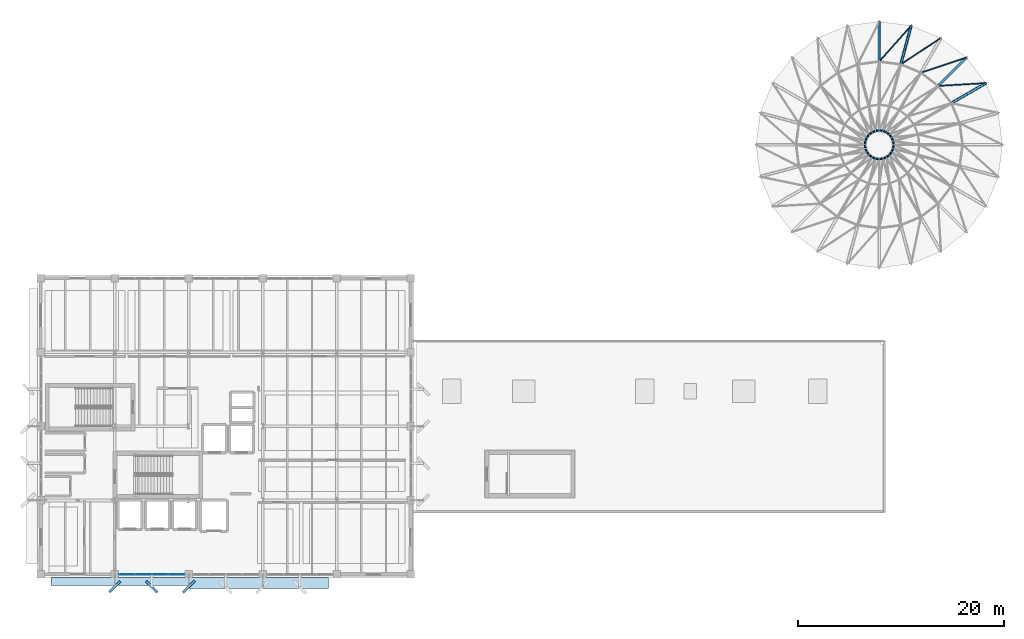
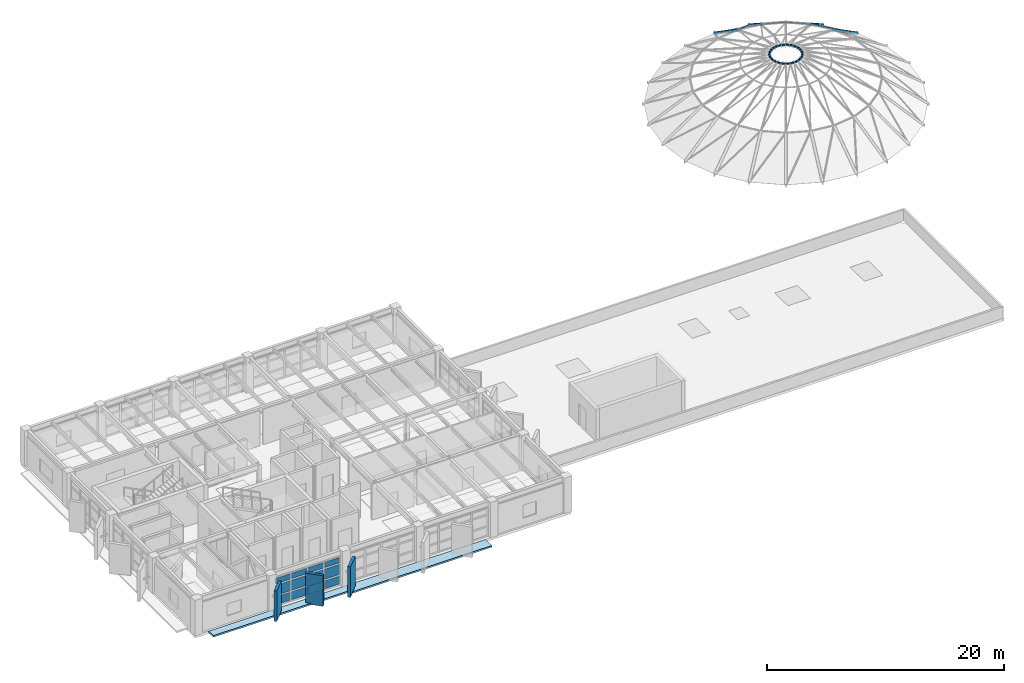
# One storey, part 17 of 32: 28 members, 15 plates, 4 beams, 1 slab, 1 element without a shape of its own.
"""IFC4 building model written with IfcOpenShell, lengths in metres."""

from ifc_helpers import new_model, si_unit, direction, frame, origin, origin_2d, place, context, subcontext, project, spatial, polyline, rectangle, hollow_circle, outline, extrude, material, layer, layer_set, material_profile, profile_set, type_object, element, aggregate, save


model = new_model("IFC4")

# Units and contexts
model_context = context("Model", 3, precision=1e-05, world=origin(), true_north=direction((0.0, 1.0)))
body_context = subcontext(model_context, "Body", "Model", "MODEL_VIEW")
ifc_project = project(units=[si_unit("LENGTHUNIT", "METRE"), si_unit("AREAUNIT", "SQUARE_METRE"), si_unit("VOLUMEUNIT", "CUBIC_METRE"), si_unit("PLANEANGLEUNIT", "RADIAN"), si_unit("MASSUNIT", "GRAM", prefix="KILO")], contexts=[model_context])

# Site, building, storey
site_placement = place(None, origin())
site = spatial("IfcSite", under=ifc_project, at=site_placement, CompositionType="ELEMENT")
building_placement = place(site_placement, origin())
building = spatial("IfcBuilding", under=site, at=building_placement, Name="Kandorven Conservatory and Botanical Research Centre", CompositionType="ELEMENT")
storey_placement = place(building_placement, frame((0.0, 0.0, 17.10009765625)))
storey = spatial("IfcBuildingStorey", under=building, at=storey_placement, Name="L04", CompositionType="ELEMENT", Elevation=17.10009765625)

# Beams
ifc_material_1 = material(Name="Steel S355 (IS 2062 E350)", Category="steel")
ifc_material_profile_1 = material_profile(ifc_material_1, hollow_circle(Radius=0.136474609375, WallThickness=0.013916015625, at=origin_2d()))
ifc_profile_set_1 = profile_set([ifc_material_profile_1], Name="Steel S355 (IS 2062 E350)")
beam_type = type_object("IfcBeamType", Name="Beam_DR-03", PredefinedType="BEAM", material=ifc_profile_set_1)
for number, where, z_axis, x_axis, name in (
    (1, (97.9921875, 53.800048828125, 0.599853515625), (-0.712040516377, -0.411093509058, 0.569210356413), (0.499997012787, -0.866027128446, 0.0), "Conservatory Dome Rib DR-03 T3-R03"),
    (2, (96.085205078125, 56.285400390625, 0.599853515625), (-0.581353568201, -0.581405038194, 0.56920664991), (0.707138080869, -0.707075480118, 0.0), "Conservatory Dome Rib DR-03 T3-R04"),
    (3, (90.705810546875, 59.39111328125, 0.599853515625), (-0.212826592184, -0.79417516745, 0.569201761298), (0.965917312786, -0.258850815837, 0.0), "Conservatory Dome Rib DR-03 T3-R06"),
    (4, (87.60009765625, 59.800048828125, 0.599853515625), (0.0, -0.822207014252, 0.569188567801), (1.0, 0.0, 0.0), "Conservatory Dome Rib DR-03 T3-R07"),
):
    element("IfcBeam", number, at=place(storey_placement, frame(where, z_axis=z_axis, x_axis=x_axis)), inside=storey, type_object=beam_type, Name=name, PredefinedType="BEAM", context=body_context, shape_type="SweptSolid", body=[
        extrude(hollow_circle(Radius=0.136474609375, WallThickness=0.013916015625, at=origin_2d()), origin(), (0.0, 0.0, 1.0), 4.743408203125),
    ])

# Members
ifc_material_2 = material(Name="Steel S355 (IS 2062 E350)", Category="steel")
ifc_material_profile_2 = material_profile(ifc_material_2, hollow_circle(Radius=0.06982421875, WallThickness=0.008056640625, at=origin_2d()))
ifc_profile_set_2 = profile_set([ifc_material_profile_2], Name="Steel S355 (IS 2062 E350)")
member_type_1 = type_object("IfcMemberType", Name="Mem_DD-01", PredefinedType="BRACE", material=ifc_profile_set_2)
member_1_placement = place(storey_placement, frame((97.9921875, 53.800048828125, 0.599853515625), z_axis=(-0.864369008874, -0.050488632571, 0.500317013982), x_axis=(0.058311580146, -0.998298432144, 0.0)))
element("IfcMember", 5, at=member_1_placement, inside=storey, type_object=member_type_1, Name="Conservatory Dome Brace DD-01 T3-S03", PredefinedType="BRACE", context=body_context, shape_type="SweptSolid", body=[
    extrude(hollow_circle(Radius=0.06982421875, WallThickness=0.008056640625, at=origin_2d()), origin(), (0.0, 0.0, 1.0), 5.396484375),
])
for number, where, z_axis, x_axis, name in (
    (6, (96.085205078125, 56.285400390625, 0.599853515625), (-0.821851167533, -0.272517830859, 0.500294603498), (0.314738325638, -0.949178479726, 0.0), "Conservatory Dome Brace DD-01 T3-S04"),
    (7, (93.60009765625, 58.1923828125, 0.599853515625), (-0.723350243299, -0.475900222609, 0.500283323368), (0.549626097097, -0.835410769257, 0.0), "Conservatory Dome Brace DD-01 T3-S05"),
    (8, (90.705810546875, 59.39111328125, 0.599853515625), (-0.575489907738, -0.646922858318, 0.500302090219), (0.747152705092, -0.664652416887, 0.0), "Conservatory Dome Brace DD-01 T3-S06"),
):
    element("IfcMember", number, at=place(storey_placement, frame(where, z_axis=z_axis, x_axis=x_axis)), inside=storey, type_object=member_type_1, Name=name, PredefinedType="BRACE", context=body_context, shape_type="SweptSolid", body=[
        extrude(hollow_circle(Radius=0.06982421875, WallThickness=0.008056640625, at=origin_2d()), origin(), (0.0, 0.0, 1.0), 5.396728515625),
    ])
ifc_material_3 = material(Name="Steel S355 (IS 2062 E350)", Category="steel")
ifc_material_profile_3 = material_profile(ifc_material_3, hollow_circle(Radius=0.109619140625, WallThickness=0.011962890625, at=origin_2d()))
ifc_profile_set_3 = profile_set([ifc_material_profile_3], Name="Steel S355 (IS 2062 E350)")
member_type_2 = type_object("IfcMemberType", Name="Mem_DH-05", PredefinedType="CHORD", material=ifc_profile_set_3)
for number, where, z_axis, x_axis, name in (
    (9, (89.0, 47.800048828125, 5.699951171875), (-0.130281684003, 0.99147702082, 0.0), (-0.99147702082, -0.130281684003, 0.0), "Conservatory Dome Hoop DH-05 T5-S01"),
    (10, (88.952392578125, 48.162353515625, 5.699951171875), (-0.382764762462, 0.923845840288, 0.0), (-0.923845840288, -0.382764762462, 0.0), "Conservatory Dome Hoop DH-05 T5-S02"),
    (11, (88.8125, 48.5, 5.699951171875), (-0.609258674669, 0.792971542579, 0.0), (-0.792971542579, -0.609258674669, 0.0), "Conservatory Dome Hoop DH-05 T5-S03"),
    (12, (88.58984375, 48.789794921875, 5.699951171875), (-0.792971542579, 0.609258674669, 0.0), (-0.609258674669, -0.792971542579, 0.0), "Conservatory Dome Hoop DH-05 T5-S04"),
    (13, (88.300048828125, 49.012451171875, 5.699951171875), (-0.923845840288, 0.382764762462, 0.0), (-0.382764762462, -0.923845840288, 0.0), "Conservatory Dome Hoop DH-05 T5-S05"),
    (14, (87.96240234375, 49.15234375, 5.699951171875), (-0.99147702082, 0.130281684003, 0.0), (-0.130281684003, -0.99147702082, 0.0), "Conservatory Dome Hoop DH-05 T5-S06"),
    (15, (87.60009765625, 49.199951171875, 5.699951171875), (-0.99147702082, -0.130281684003, 0.0), (0.130281684003, -0.99147702082, 0.0), "Conservatory Dome Hoop DH-05 T5-S07"),
):
    element("IfcMember", number, at=place(storey_placement, frame(where, z_axis=z_axis, x_axis=x_axis)), inside=storey, type_object=member_type_2, Name=name, PredefinedType="CHORD", context=body_context, shape_type="SweptSolid", body=[
        extrude(hollow_circle(Radius=0.109619140625, WallThickness=0.011962890625, at=origin_2d()), origin(), (0.0, 0.0, 1.0), 0.365478515625),
    ])
member_2_placement = place(storey_placement, frame((87.23779296875, 49.15234375, 5.699951171875), z_axis=(-0.923943617879, -0.382528679946, 0.0), x_axis=(0.382528679946, -0.923943617879, 0.0)))
element("IfcMember", 16, at=member_2_placement, inside=storey, type_object=member_type_2, Name="Conservatory Dome Hoop DH-05 T5-S08", PredefinedType="CHORD", context=body_context, shape_type="SweptSolid", body=[
    extrude(hollow_circle(Radius=0.109619140625, WallThickness=0.011962890625, at=origin_2d()), origin(), (0.0, 0.0, 1.0), 0.36572265625),
])
member_3_placement = place(storey_placement, frame((86.89990234375, 49.012451171875, 5.699951171875), z_axis=(-0.792971542579, -0.609258674669, 0.0), x_axis=(0.609258674669, -0.792971542579, 0.0)))
element("IfcMember", 17, at=member_3_placement, inside=storey, type_object=member_type_2, Name="Conservatory Dome Hoop DH-05 T5-S09", PredefinedType="CHORD", context=body_context, shape_type="SweptSolid", body=[
    extrude(hollow_circle(Radius=0.109619140625, WallThickness=0.011962890625, at=origin_2d()), origin(), (0.0, 0.0, 1.0), 0.365478515625),
])
member_4_placement = place(storey_placement, frame((86.610107421875, 48.789794921875, 5.699951171875), z_axis=(-0.608838347721, -0.793294312563, 0.0), x_axis=(0.793294312563, -0.608838347721, 0.0)))
element("IfcMember", 18, at=member_4_placement, inside=storey, type_object=member_type_2, Name="Conservatory Dome Hoop DH-05 T5-S10", PredefinedType="CHORD", context=body_context, shape_type="SweptSolid", body=[
    extrude(hollow_circle(Radius=0.109619140625, WallThickness=0.011962890625, at=origin_2d()), origin(), (0.0, 0.0, 1.0), 0.365234375),
])
for number, where, z_axis, x_axis, name in (
    (19, (86.3876953125, 48.5, 5.699951171875), (-0.382764762462, -0.923845840288, 0.0), (0.923845840288, -0.382764762462, 0.0), "Conservatory Dome Hoop DH-05 T5-S11"),
    (20, (86.247802734375, 48.162353515625, 5.699951171875), (-0.130938369255, -0.99139051007, 0.0), (0.99139051007, -0.130938369255, 0.0), "Conservatory Dome Hoop DH-05 T5-S12"),
    (21, (86.199951171875, 47.800048828125, 5.699951171875), (0.130938369255, -0.99139051007, 0.0), (0.99139051007, 0.130938369255, 0.0), "Conservatory Dome Hoop DH-05 T5-S13"),
    (22, (86.247802734375, 47.437744140625, 5.699951171875), (0.382764762462, -0.923845840288, 0.0), (0.923845840288, 0.382764762462, 0.0), "Conservatory Dome Hoop DH-05 T5-S14"),
    (23, (86.3876953125, 47.10009765625, 5.699951171875), (0.608515678526, -0.793541850811, 0.0), (0.793541850811, 0.608515678526, 0.0), "Conservatory Dome Hoop DH-05 T5-S15"),
):
    element("IfcMember", number, at=place(storey_placement, frame(where, z_axis=z_axis, x_axis=x_axis)), inside=storey, type_object=member_type_2, Name=name, PredefinedType="CHORD", context=body_context, shape_type="SweptSolid", body=[
        extrude(hollow_circle(Radius=0.109619140625, WallThickness=0.011962890625, at=origin_2d()), origin(), (0.0, 0.0, 1.0), 0.365478515625),
    ])
member_5_placement = place(storey_placement, frame((86.610107421875, 46.81005859375, 5.699951171875), z_axis=(0.793294312563, -0.608838347721, 0.0), x_axis=(0.608838347721, 0.793294312563, 0.0)))
element("IfcMember", 24, at=member_5_placement, inside=storey, type_object=member_type_2, Name="Conservatory Dome Hoop DH-05 T5-S16", PredefinedType="CHORD", context=body_context, shape_type="SweptSolid", body=[
    extrude(hollow_circle(Radius=0.109619140625, WallThickness=0.011962890625, at=origin_2d()), origin(), (0.0, 0.0, 1.0), 0.365234375),
])
member_6_placement = place(storey_placement, frame((86.89990234375, 46.587646484375, 5.699951171875), z_axis=(0.923943617879, -0.382528679946, 0.0), x_axis=(0.382528679946, 0.923943617879, 0.0)))
element("IfcMember", 25, at=member_6_placement, inside=storey, type_object=member_type_2, Name="Conservatory Dome Hoop DH-05 T5-S17", PredefinedType="CHORD", context=body_context, shape_type="SweptSolid", body=[
    extrude(hollow_circle(Radius=0.109619140625, WallThickness=0.011962890625, at=origin_2d()), origin(), (0.0, 0.0, 1.0), 0.36572265625),
])
for number, where, z_axis, x_axis, name in (
    (26, (87.23779296875, 46.44775390625, 5.699951171875), (0.99139051007, -0.130938369255, 0.0), (0.130938369255, 0.99139051007, 0.0), "Conservatory Dome Hoop DH-05 T5-S18"),
    (27, (87.60009765625, 46.39990234375, 5.699951171875), (0.99139051007, 0.130938369255, 0.0), (-0.130938369255, 0.99139051007, 0.0), "Conservatory Dome Hoop DH-05 T5-S19"),
    (28, (87.96240234375, 46.44775390625, 5.699951171875), (0.923845840288, 0.382764762462, 0.0), (-0.382764762462, 0.923845840288, 0.0), "Conservatory Dome Hoop DH-05 T5-S20"),
):
    element("IfcMember", number, at=place(storey_placement, frame(where, z_axis=z_axis, x_axis=x_axis)), inside=storey, type_object=member_type_2, Name=name, PredefinedType="CHORD", context=body_context, shape_type="SweptSolid", body=[
        extrude(hollow_circle(Radius=0.109619140625, WallThickness=0.011962890625, at=origin_2d()), origin(), (0.0, 0.0, 1.0), 0.365478515625),
    ])
member_7_placement = place(storey_placement, frame((88.300048828125, 46.587646484375, 5.699951171875), z_axis=(0.793294312563, 0.608838347721, 0.0), x_axis=(-0.608838347721, 0.793294312563, 0.0)))
element("IfcMember", 29, at=member_7_placement, inside=storey, type_object=member_type_2, Name="Conservatory Dome Hoop DH-05 T5-S21", PredefinedType="CHORD", context=body_context, shape_type="SweptSolid", body=[
    extrude(hollow_circle(Radius=0.109619140625, WallThickness=0.011962890625, at=origin_2d()), origin(), (0.0, 0.0, 1.0), 0.365234375),
])
member_8_placement = place(storey_placement, frame((88.58984375, 46.81005859375, 5.699951171875), z_axis=(0.608936045201, 0.793219322038, 0.0), x_axis=(-0.793219322038, 0.608936045201, 0.0)))
element("IfcMember", 30, at=member_8_placement, inside=storey, type_object=member_type_2, Name="Conservatory Dome Hoop DH-05 T5-S22", PredefinedType="CHORD", context=body_context, shape_type="SweptSolid", body=[
    extrude(hollow_circle(Radius=0.109619140625, WallThickness=0.011962890625, at=origin_2d()), origin(), (0.0, 0.0, 1.0), 0.36572265625),
])
for number, where, z_axis, x_axis, name in (
    (31, (88.8125, 47.10009765625, 5.699951171875), (0.382764762462, 0.923845840288, 0.0), (-0.923845840288, 0.382764762462, 0.0), "Conservatory Dome Hoop DH-05 T5-S23"),
    (32, (88.952392578125, 47.437744140625, 5.699951171875), (0.130281684003, 0.99147702082, 0.0), (-0.99147702082, 0.130281684003, 0.0), "Conservatory Dome Hoop DH-05 T5-S24"),
):
    element("IfcMember", number, at=place(storey_placement, frame(where, z_axis=z_axis, x_axis=x_axis)), inside=storey, type_object=member_type_2, Name=name, PredefinedType="CHORD", context=body_context, shape_type="SweptSolid", body=[
        extrude(hollow_circle(Radius=0.109619140625, WallThickness=0.011962890625, at=origin_2d()), origin(), (0.0, 0.0, 1.0), 0.365478515625),
    ])

# Curtain wall, plates
ifc_material_4 = material(Name="Bronze anodised thermally broken aluminium", Category="aluminium")
ifc_layer_1 = layer(ifc_material_4, 0.179931640625)
ifc_layer_set_1 = layer_set([ifc_layer_1], Name="Bronze anodised thermally broken aluminium")
curtain_wall_type = type_object("IfcCurtainWallType", Name="CW_Unitised", PredefinedType="USERDEFINED", material=ifc_layer_set_1)
curtain_wall_placement = place(storey_placement, origin())
curtain_wall = element("IfcCurtainWall", 33, at=curtain_wall_placement, inside=storey, type_object=curtain_wall_type, Name="Tower laboratory curtain wall CW-TWR-S-L04-2", ObjectType="UNITISED GLAZING", PredefinedType="USERDEFINED")
ifc_material_5 = material(Name="Double-glazed solar-control low-E glass", Category="glass")
ifc_layer_2 = layer(ifc_material_5, 0.028076171875)
ifc_layer_set_2 = layer_set([ifc_layer_2], Name="Double-glazed solar-control low-E glass")
plate_type_1 = type_object("IfcPlateType", Name="CW_Panel", PredefinedType="CURTAIN_PANEL", material=ifc_layer_set_2)
plate_1_placement = place(storey_placement, frame((14.4013671875, 6.0, 0.14990234375), z_axis=(0.0, 0.0, 1.0), x_axis=(1.0, 0.0, 0.0)))
plate_1 = element("IfcPlate", 34, at=plate_1_placement, type_object=plate_type_1, Name="CW-01 panel 1.1", PredefinedType="CURTAIN_PANEL", context=body_context, shape_type="SweptSolid", body=[
    extrude(rectangle(XDim=1.492431640625, YDim=0.028076171875, at=origin_2d()), origin(), (0.0, 0.0, 1.0), 0.824951171875),
])
plate_2_placement = place(storey_placement, frame((14.4013671875, 6.0, 1.125), z_axis=(0.0, 0.0, 1.0), x_axis=(1.0, 0.0, 0.0)))
plate_2 = element("IfcPlate", 35, at=plate_2_placement, type_object=plate_type_1, Name="CW-01 panel 1.2", PredefinedType="CURTAIN_PANEL", context=body_context, shape_type="SweptSolid", body=[
    extrude(rectangle(XDim=1.492431640625, YDim=0.028076171875, at=origin_2d()), origin(), (0.0, 0.0, 1.0), 1.050048828125),
])
plate_3_placement = place(storey_placement, frame((14.4013671875, 6.0, 2.324951171875), z_axis=(0.0, 0.0, 1.0), x_axis=(1.0, 0.0, 0.0)))
plate_3 = element("IfcPlate", 36, at=plate_3_placement, type_object=plate_type_1, Name="CW-01 panel 1.3", PredefinedType="CURTAIN_PANEL", context=body_context, shape_type="SweptSolid", body=[
    extrude(rectangle(XDim=1.492431640625, YDim=0.028076171875, at=origin_2d()), origin(), (0.0, 0.0, 1.0), 0.56494140625),
])
plate_4_placement = place(storey_placement, frame((15.99365234375, 6.0, 0.14990234375), z_axis=(0.0, 0.0, 1.0), x_axis=(1.0, 0.0, 0.0)))
plate_4 = element("IfcPlate", 37, at=plate_4_placement, type_object=plate_type_1, Name="CW-01 panel 2.1", PredefinedType="CURTAIN_PANEL", context=body_context, shape_type="SweptSolid", body=[
    extrude(rectangle(XDim=1.532470703125, YDim=0.028076171875, at=origin_2d()), origin(), (0.0, 0.0, 1.0), 0.824951171875),
])
plate_5_placement = place(storey_placement, frame((15.99365234375, 6.0, 1.125), z_axis=(0.0, 0.0, 1.0), x_axis=(1.0, 0.0, 0.0)))
plate_5 = element("IfcPlate", 38, at=plate_5_placement, type_object=plate_type_1, Name="CW-01 panel 2.2", PredefinedType="CURTAIN_PANEL", context=body_context, shape_type="SweptSolid", body=[
    extrude(rectangle(XDim=1.532470703125, YDim=0.028076171875, at=origin_2d()), origin(), (0.0, 0.0, 1.0), 1.050048828125),
])
plate_6_placement = place(storey_placement, frame((15.99365234375, 6.0, 2.324951171875), z_axis=(0.0, 0.0, 1.0), x_axis=(1.0, 0.0, 0.0)))
plate_6 = element("IfcPlate", 39, at=plate_6_placement, type_object=plate_type_1, Name="CW-01 panel 2.3", PredefinedType="CURTAIN_PANEL", context=body_context, shape_type="SweptSolid", body=[
    extrude(rectangle(XDim=1.532470703125, YDim=0.028076171875, at=origin_2d()), origin(), (0.0, 0.0, 1.0), 0.56494140625),
])
plate_7_placement = place(storey_placement, frame((17.606201171875, 6.0, 0.14990234375), z_axis=(0.0, 0.0, 1.0), x_axis=(1.0, 0.0, 0.0)))
plate_7 = element("IfcPlate", 40, at=plate_7_placement, type_object=plate_type_1, Name="CW-01 panel 3.1", PredefinedType="CURTAIN_PANEL", context=body_context, shape_type="SweptSolid", body=[
    extrude(rectangle(XDim=1.532470703125, YDim=0.028076171875, at=origin_2d()), origin(), (0.0, 0.0, 1.0), 0.824951171875),
])
plate_8_placement = place(storey_placement, frame((17.606201171875, 6.0, 1.125), z_axis=(0.0, 0.0, 1.0), x_axis=(1.0, 0.0, 0.0)))
plate_8 = element("IfcPlate", 41, at=plate_8_placement, type_object=plate_type_1, Name="CW-01 panel 3.2", PredefinedType="CURTAIN_PANEL", context=body_context, shape_type="SweptSolid", body=[
    extrude(rectangle(XDim=1.532470703125, YDim=0.028076171875, at=origin_2d()), origin(), (0.0, 0.0, 1.0), 1.050048828125),
])
plate_9_placement = place(storey_placement, frame((17.606201171875, 6.0, 2.324951171875), z_axis=(0.0, 0.0, 1.0), x_axis=(1.0, 0.0, 0.0)))
plate_9 = element("IfcPlate", 42, at=plate_9_placement, type_object=plate_type_1, Name="CW-01 panel 3.3", PredefinedType="CURTAIN_PANEL", context=body_context, shape_type="SweptSolid", body=[
    extrude(rectangle(XDim=1.532470703125, YDim=0.028076171875, at=origin_2d()), origin(), (0.0, 0.0, 1.0), 0.56494140625),
])
plate_10_placement = place(storey_placement, frame((19.19873046875, 6.0, 0.14990234375), z_axis=(0.0, 0.0, 1.0), x_axis=(1.0, 0.0, 0.0)))
plate_10 = element("IfcPlate", 43, at=plate_10_placement, type_object=plate_type_1, Name="CW-01 panel 4.1", PredefinedType="CURTAIN_PANEL", context=body_context, shape_type="SweptSolid", body=[
    extrude(rectangle(XDim=1.492431640625, YDim=0.028076171875, at=origin_2d()), origin(), (0.0, 0.0, 1.0), 0.824951171875),
])
plate_11_placement = place(storey_placement, frame((19.19873046875, 6.0, 1.125), z_axis=(0.0, 0.0, 1.0), x_axis=(1.0, 0.0, 0.0)))
plate_11 = element("IfcPlate", 44, at=plate_11_placement, type_object=plate_type_1, Name="CW-01 panel 4.2", PredefinedType="CURTAIN_PANEL", context=body_context, shape_type="SweptSolid", body=[
    extrude(rectangle(XDim=1.492431640625, YDim=0.028076171875, at=origin_2d()), origin(), (0.0, 0.0, 1.0), 1.050048828125),
])
plate_12_placement = place(storey_placement, frame((19.19873046875, 6.0, 2.324951171875), z_axis=(0.0, 0.0, 1.0), x_axis=(1.0, 0.0, 0.0)))
plate_12 = element("IfcPlate", 45, at=plate_12_placement, type_object=plate_type_1, Name="CW-01 panel 4.3", PredefinedType="CURTAIN_PANEL", context=body_context, shape_type="SweptSolid", body=[
    extrude(rectangle(XDim=1.492431640625, YDim=0.028076171875, at=origin_2d()), origin(), (0.0, 0.0, 1.0), 0.56494140625),
])
aggregate(curtain_wall, [plate_1, plate_2, plate_3, plate_4, plate_5, plate_6, plate_7, plate_8, plate_9, plate_10, plate_11, plate_12])

# Plates
ifc_material_6 = material(Name="Precast concrete C40/50 (M50)", Category="concrete")
ifc_layer_3 = layer(ifc_material_6, 0.248046875)
ifc_layer_set_3 = layer_set([ifc_layer_3], Name="Precast concrete C40/50 (M50)")
plate_type_2 = type_object("IfcPlateType", Name="Fin_BF-12", PredefinedType="USERDEFINED", material=ifc_layer_set_3)
plate_13_placement = place(storey_placement, frame((13.199951171875, 4.780029296875, -0.1201171875), z_axis=(0.0, 0.0, 1.0), x_axis=(0.707106781187, 0.707106781187, 0.0)))
element("IfcPlate", 46, at=plate_13_placement, inside=storey, type_object=plate_type_2, Name="Sculpted board-marked concrete brise-soleil fin BF-12", ObjectType="SOLAR FIN", PredefinedType="USERDEFINED", context=body_context, shape_type="SweptSolid", body=[
    extrude(rectangle(XDim=1.489990234375, YDim=0.248046875, at=origin_2d()), origin(), (0.0, 0.0, 1.0), 3.159912109375),
])
ifc_material_7 = material(Name="Precast concrete C40/50 (M50)", Category="concrete")
ifc_layer_4 = layer(ifc_material_7, 0.251953125)
ifc_layer_set_4 = layer_set([ifc_layer_4], Name="Precast concrete C40/50 (M50)")
plate_type_3 = type_object("IfcPlateType", Name="Fin_BF-13", PredefinedType="USERDEFINED", material=ifc_layer_set_4)
plate_14_placement = place(storey_placement, frame((16.800048828125, 4.780029296875, -0.1201171875), z_axis=(0.0, 0.0, 1.0), x_axis=(-0.707106781187, 0.707106781187, 0.0)))
element("IfcPlate", 47, at=plate_14_placement, inside=storey, type_object=plate_type_3, Name="Sculpted board-marked concrete brise-soleil fin BF-13", ObjectType="SOLAR FIN", PredefinedType="USERDEFINED", context=body_context, shape_type="SweptSolid", body=[
    extrude(rectangle(XDim=1.550048828125, YDim=0.251953125, at=origin_2d()), origin(), (0.0, 0.0, 1.0), 3.159912109375),
])
ifc_material_8 = material(Name="Precast concrete C40/50 (M50)", Category="concrete")
ifc_layer_5 = layer(ifc_material_8, 0.256103515625)
ifc_layer_set_5 = layer_set([ifc_layer_5], Name="Precast concrete C40/50 (M50)")
plate_type_4 = type_object("IfcPlateType", Name="Fin_BF-14", PredefinedType="USERDEFINED", material=ifc_layer_set_5)
plate_15_placement = place(storey_placement, frame((20.39990234375, 4.780029296875, -0.1201171875), z_axis=(0.0, 0.0, 1.0), x_axis=(0.707106781187, 0.707106781187, 0.0)))
element("IfcPlate", 48, at=plate_15_placement, inside=storey, type_object=plate_type_4, Name="Sculpted board-marked concrete brise-soleil fin BF-14", ObjectType="SOLAR FIN", PredefinedType="USERDEFINED", context=body_context, shape_type="SweptSolid", body=[
    extrude(rectangle(XDim=1.610107421875, YDim=0.256103515625, at=origin_2d()), origin(), (0.0, 0.0, 1.0), 3.159912109375),
])

# Slab
ifc_material_9 = material(Name="Concrete C32/40 (M40)", Category="concrete")
ifc_layer_6 = layer(ifc_material_9, 0.169921875)
ifc_layer_set_6 = layer_set([ifc_layer_6], Name="Concrete C32/40 (M40)")
slab_type = type_object("IfcSlabType", Name="Slab_SL-13", PredefinedType="FLOOR", material=ifc_layer_set_6)
slab_placement = place(storey_placement, frame((0.0, 0.0, -0.170166015625)))
element("IfcSlab", 49, at=slab_placement, inside=storey, type_object=slab_type, Name="Tower south sculpted concrete solar-hood slab L04", PredefinedType="FLOOR", context=body_context, shape_type="SweptSolid", body=[
    extrude(outline(polyline([(7.0, 5.679931640625), (34.0, 5.679931640625), (34.0, 4.6298828125), (20.39990234375, 4.6298828125), (20.39990234375, 4.89990234375), (7.0, 4.89990234375), (7.0, 5.679931640625)])), origin(), (0.0, 0.0, 1.0), 0.170166015625),
])

save(model, "model.ifc")
